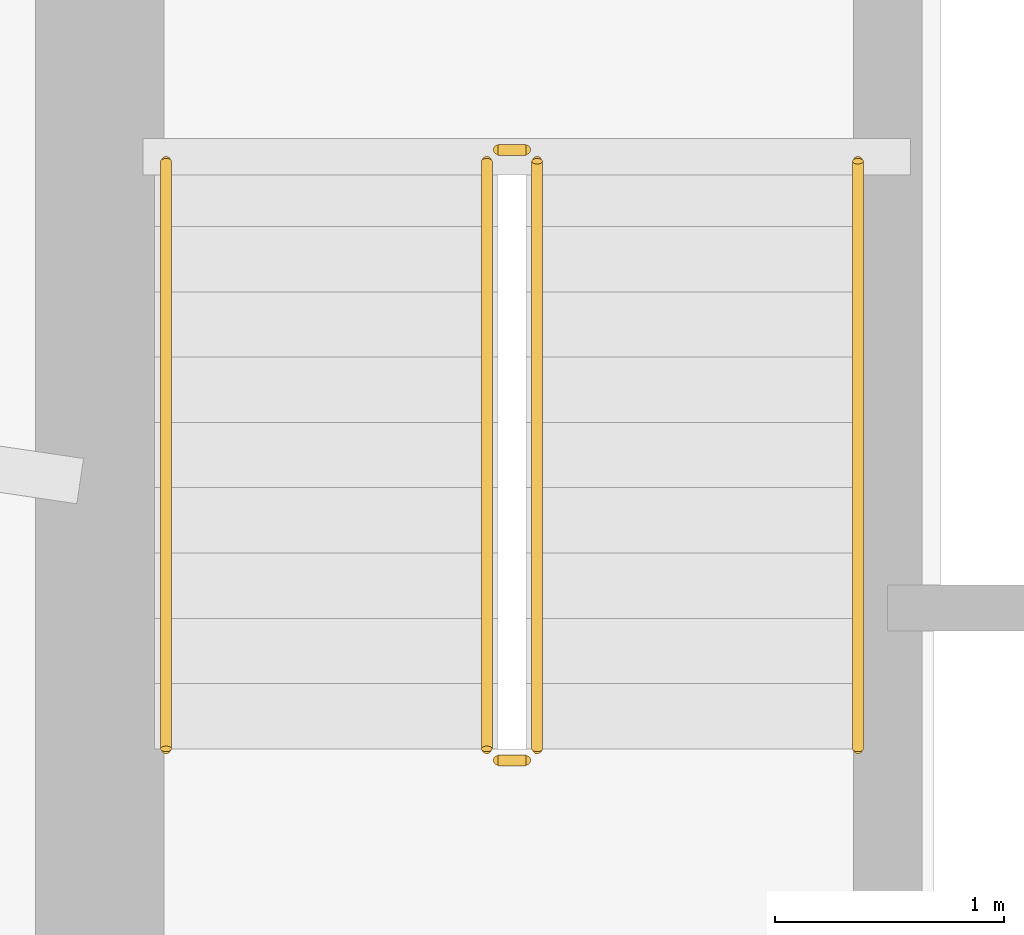
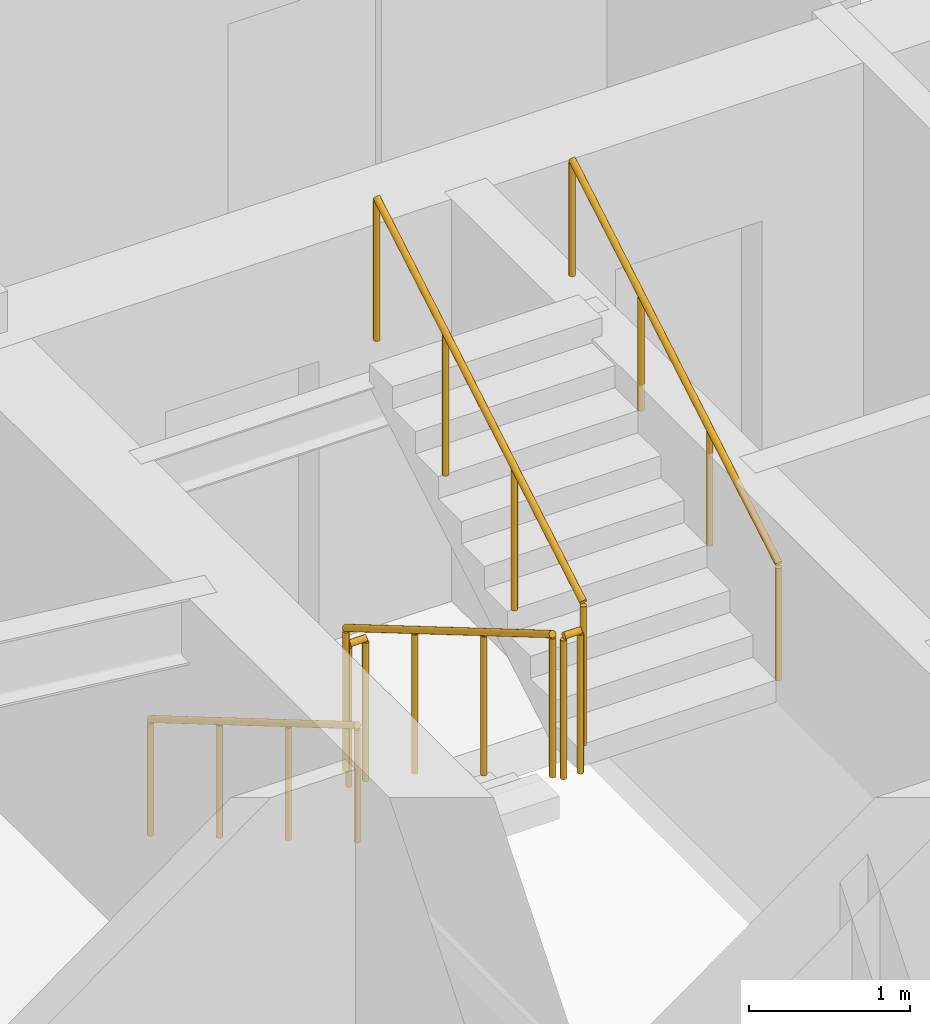
# One storey, part 16 of 17: 6 railings.
"""IFC4 building model written with IfcOpenShell, lengths in metres."""

import ifcopenshell
import ifcopenshell.guid

model = None  # the IFC model being written
_history = None  # IfcOwnerHistory: only IFC2X3 demands one
_inside = {}  # id of a spatial element -> (the spatial element, [elements in it])
_under = {}  # id of a project, library or spatial element -> (it, [spatial elements below it])
_declared = {}  # id of a project -> (the project, [libraries it declares])
_typed = {}  # id of a type object -> (the type object, [elements of that type])
_made_of = {}  # id of a material, layer set ... -> (it, [elements and type objects made of it])


def new_model(schema):
    """Start an empty IFC model of exactly this schema.

    Asked for "IFC4X3", IfcOpenShell would pick the latest addendum, in which some entities
    have other attributes; the version numbers below select the first issue.
    IFC2X3 requires an IfcOwnerHistory on every rooted entity: one is made here for all.
    """
    global model, _history
    if schema == "IFC4X3":
        model = ifcopenshell.file(schema_version=(4, 3, 0, 0))
    else:
        model = ifcopenshell.file(schema=schema)
    _inside.clear()
    _under.clear()
    _declared.clear()
    _typed.clear()
    _made_of.clear()
    _history = None
    if model.schema == "IFC2X3":
        org = make("IfcOrganization", Name="unknown")
        user = make(
            "IfcPersonAndOrganization",
            ThePerson=make("IfcPerson", FamilyName="unknown"),
            TheOrganization=org,
        )
        app = make(
            "IfcApplication",
            ApplicationDeveloper=org,
            Version="unknown",
            ApplicationFullName="unknown",
            ApplicationIdentifier="unknown",
        )
        _history = make(
            "IfcOwnerHistory",
            OwningUser=user,
            OwningApplication=app,
            ChangeAction="ADDED",
            CreationDate=0,
        )
    return model


def make(cls, **values):
    """One entity of the class cls with the attributes given. An attribute that is None is left unset."""
    return model.create_entity(
        cls, **{name: value for name, value in values.items() if value is not None}
    )


def rooted(cls, **values):
    """An entity with a GlobalId (a new one), such as an element, a storey or a relation."""
    return make(cls, GlobalId=ifcopenshell.guid.new(), OwnerHistory=_history, **values)


def si_unit(unit_type, name, prefix=None):
    """IfcSIUnit, for example si_unit("LENGTHUNIT", "METRE", prefix="MILLI")."""
    return make("IfcSIUnit", UnitType=unit_type, Prefix=prefix, Name=name)


def assignment(units):
    """IfcUnitAssignment: the units of a project."""
    return None if units is None else make("IfcUnitAssignment", Units=units)


def point(xyz):
    """IfcCartesianPoint."""
    return None if xyz is None else make("IfcCartesianPoint", Coordinates=xyz)


def direction(xyz):
    """IfcDirection."""
    return None if xyz is None else make("IfcDirection", DirectionRatios=xyz)


def frame(location, z_axis=None, x_axis=None):
    """IfcAxis2Placement3D, a coordinate frame: its origin and axes. An axis left out is left unset."""
    return make(
        "IfcAxis2Placement3D",
        Location=point(location),
        Axis=direction(z_axis),
        RefDirection=direction(x_axis),
    )


def frame_2d(location, x_axis=None):
    """IfcAxis2Placement2D, a coordinate frame in the plane: its origin and x axis."""
    return make(
        "IfcAxis2Placement2D", Location=point(location), RefDirection=direction(x_axis)
    )


def origin():
    """The frame at (0, 0, 0) with its axes left unset."""
    return frame((0.0, 0.0, 0.0))


def origin_2d():
    """The frame at (0, 0) in the plane with its x axis left unset."""
    return frame_2d((0.0, 0.0))


def place(relative_to, where):
    """IfcLocalPlacement: puts the frame where relative to a parent placement (None: the world)."""
    return make(
        "IfcLocalPlacement", PlacementRelTo=relative_to, RelativePlacement=where
    )


def context(
    kind, dimensions, precision=None, world=None, true_north=None, identifier=None
):
    """IfcGeometricRepresentationContext, for example the 3D "Model" context."""
    return make(
        "IfcGeometricRepresentationContext",
        ContextIdentifier=identifier,
        ContextType=kind,
        CoordinateSpaceDimension=dimensions,
        Precision=precision,
        WorldCoordinateSystem=world,
        TrueNorth=true_north,
    )


def subcontext(parent, identifier, kind, view, scale=None):
    """IfcGeometricRepresentationSubContext, for example "Body" below "Model"."""
    return make(
        "IfcGeometricRepresentationSubContext",
        ContextIdentifier=identifier,
        ContextType=kind,
        ParentContext=parent,
        TargetScale=scale,
        TargetView=view,
    )


def project(units=None, contexts=None):
    """IfcProject with its units and contexts."""
    return rooted(
        "IfcProject",
        Name="project",
        RepresentationContexts=contexts,
        UnitsInContext=assignment(units),
    )


def spatial(cls, under=None, at=None, **own):
    """A site, building, storey or space (cls), placed at a placement, below another one or the project."""
    s = rooted(cls, ObjectPlacement=at, **own)
    if under is not None:
        _under.setdefault(under.id(), (under, []))[1].append(s)
    return s


def profile(cls, at=None, kind="AREA", **sizes):
    """A parametric profile (cls). Its sizes go by their IFC names, for example OverallWidth=200.0."""
    return make(cls, ProfileType=kind, Position=at, **sizes)


def circle(**sizes):
    """IfcCircleProfileDef."""
    return profile("IfcCircleProfileDef", **sizes)


def extrude(swept, where, along, depth):
    """IfcExtrudedAreaSolid: the profile swept, set in the frame where, extruded along a direction by depth."""
    return make(
        "IfcExtrudedAreaSolid",
        SweptArea=swept,
        Position=where,
        ExtrudedDirection=direction(along),
        Depth=depth,
    )


def shape(context_of_items, identifier, shape_type, items):
    """IfcShapeRepresentation: the items that make up one representation, for example the "Body"."""
    return make(
        "IfcShapeRepresentation",
        ContextOfItems=context_of_items,
        RepresentationIdentifier=identifier,
        RepresentationType=shape_type,
        Items=items,
    )


def material(Name=None, Category=None):
    """IfcMaterial."""
    return make("IfcMaterial", Name=Name, Category=Category)


def made_of(thing, what):
    """Note that an element or type object is made of a material, layer set ...; save() writes the relation."""
    if what is not None:
        _made_of.setdefault(what.id(), (what, []))[1].append(thing)
    return thing


def type_object(cls, material=None, **own):
    """A type object (cls), such as IfcWallType, which elements share."""
    return made_of(rooted(cls, **own), material)


def element(
    cls,
    number,
    at=None,
    inside=None,
    cuts=None,
    type_object=None,
    material=None,
    context=None,
    identifier="Body",
    shape_type=None,
    held_by="IfcProductDefinitionShape",
    body=None,
    shapes=None,
    **own,
):
    """One element of the class cls, such as IfcWall. Its Tag is "e" and its number.

    at: its placement. inside: the storey or other place that contains it. cuts: it is an
    opening in that element (IfcRelVoidsElement). A single representation is given by context,
    identifier, shape_type and body (its items); several are given by shapes. held_by: the class
    of the entity that holds the representations. save() writes the other relations.
    """
    e = rooted(cls, Tag="e%d" % number, ObjectPlacement=at, **own)
    if body is not None:
        shapes = [shape(context, identifier, shape_type, body)]
    if shapes is not None:
        e.Representation = make(held_by, Representations=shapes)
    if inside is not None:
        _inside.setdefault(inside.id(), (inside, []))[1].append(e)
    if cuts is not None:
        rooted(
            "IfcRelVoidsElement", RelatingBuildingElement=cuts, RelatedOpeningElement=e
        )
    if type_object is not None:
        _typed.setdefault(type_object.id(), (type_object, []))[1].append(e)
    return made_of(e, material)


def aggregate(whole, parts):
    """IfcRelAggregates: a whole, such as a stair, and the parts it consists of."""
    return rooted("IfcRelAggregates", RelatingObject=whole, RelatedObjects=parts)


def save(model, path):
    """Write the relations noted so far, then the file.

    IfcRelAggregates (storeys below a building ...), IfcRelContainedInSpatialStructure (elements
    in a storey), IfcRelDefinesByType, IfcRelAssociatesMaterial and IfcRelDeclares: one each for
    every whole, place, type object, material and project.
    """
    for whole, parts in _under.values():
        aggregate(whole, parts)
    for where, things in _inside.values():
        rooted(
            "IfcRelContainedInSpatialStructure",
            RelatedElements=things,
            RelatingStructure=where,
        )
    for kind, things in _typed.values():
        rooted("IfcRelDefinesByType", RelatedObjects=things, RelatingType=kind)
    for what, things in _made_of.values():
        rooted("IfcRelAssociatesMaterial", RelatedObjects=things, RelatingMaterial=what)
    for by, libraries in _declared.values():
        rooted("IfcRelDeclares", RelatingContext=by, RelatedDefinitions=libraries)
    model.write(path)


model = new_model("IFC4")

# Units and contexts
model_context = context("Model", 3, precision=1e-05, world=origin(), true_north=direction((0.0, 1.0)))
body_context = subcontext(model_context, "Body", "Model", "MODEL_VIEW")
ifc_project = project(units=[si_unit("LENGTHUNIT", "METRE"), si_unit("AREAUNIT", "SQUARE_METRE"), si_unit("VOLUMEUNIT", "CUBIC_METRE"), si_unit("PLANEANGLEUNIT", "RADIAN"), si_unit("MASSUNIT", "GRAM", prefix="KILO")], contexts=[model_context])

# Site, building, storey
site_placement = place(None, origin())
site = spatial("IfcSite", under=ifc_project, at=site_placement, CompositionType="ELEMENT")
building_placement = place(site_placement, origin())
building = spatial("IfcBuilding", under=site, at=building_placement, Name="Qobustan Lattice House", CompositionType="ELEMENT")
storey_placement = place(building_placement, frame((0.0, 0.0, 105.800048828125)))
storey = spatial("IfcBuildingStorey", under=building, at=storey_placement, Name="L29", CompositionType="ELEMENT", Elevation=105.800048828125)

# Railings
ifc_material_1 = material(Name="Brushed stainless steel handrail", Category="steel")
railing_type_1 = type_object("IfcRailingType", Name="RAL-HR-920", PredefinedType="HANDRAIL", material=ifc_material_1)
railing_1_placement = place(storey_placement, frame((-18.199951171875, 3.5, 0.16748046875)))
element("IfcRailing", 1, at=railing_1_placement, inside=storey, type_object=railing_type_1, Name="L29 ST-W1 stair handrail 1", PredefinedType="HANDRAIL", context=body_context, shape_type="SweptSolid", body=[
    extrude(circle(Radius=0.02392578125, at=origin_2d()), frame((0.0, 0.0, 0.8759765625), z_axis=(0.0, -0.862113467892, 0.50671527358), x_axis=(1.0, 0.0, 0.0)), (0.0, 0.0, 1.0), 2.97509765625),
    extrude(circle(Radius=0.02099609375, at=origin_2d()), origin(), (0.0, 0.0, 1.0), 0.851806640625),
    extrude(circle(Radius=0.02099609375, at=origin_2d()), frame((0.0, -0.85498046875, 0.50244140625)), (0.0, 0.0, 1.0), 0.851806640625),
    extrude(circle(Radius=0.02099609375, at=origin_2d()), frame((0.0, -1.7099609375, 1.005126953125)), (0.0, 0.0, 1.0), 0.851806640625),
    extrude(circle(Radius=0.02099609375, at=origin_2d()), frame((0.0, -2.56494140625, 1.507568359375)), (0.0, 0.0, 1.0), 0.851806640625),
])
railing_2_placement = place(storey_placement, frame((-15.179931640625, 0.93505859375, 1.842529296875)))
element("IfcRailing", 2, at=railing_2_placement, inside=storey, type_object=railing_type_1, Name="L29 ST-W1 stair handrail 2", PredefinedType="HANDRAIL", context=body_context, shape_type="SweptSolid", body=[
    extrude(circle(Radius=0.02392578125, at=origin_2d()), frame((0.0, 0.0, 0.8759765625), z_axis=(0.0, 0.862149314443, 0.506654280161), x_axis=(-1.0, 0.0, 0.0)), (0.0, 0.0, 1.0), 2.97509765625),
    extrude(circle(Radius=0.02099609375, at=origin_2d()), origin(), (0.0, 0.0, 1.0), 0.851806640625),
    extrude(circle(Radius=0.02099609375, at=origin_2d()), frame((0.0, 0.85498046875, 0.50244140625)), (0.0, 0.0, 1.0), 0.851806640625),
    extrude(circle(Radius=0.02099609375, at=origin_2d()), frame((0.0, 1.7099609375, 1.0048828125)), (0.0, 0.0, 1.0), 0.851806640625),
    extrude(circle(Radius=0.02099609375, at=origin_2d()), frame((0.0, 2.56494140625, 1.50732421875)), (0.0, 0.0, 1.0), 0.851806640625),
])
ifc_material_2 = material(Name="Painted galvanized steel guardrail", Category="steel")
railing_type_2 = type_object("IfcRailingType", Name="RAL-STG-1150", PredefinedType="GUARDRAIL", material=ifc_material_2)
railing_3_placement = place(storey_placement, frame((-16.800048828125, 3.5, 0.16748046875)))
element("IfcRailing", 3, at=railing_3_placement, inside=storey, type_object=railing_type_2, Name="L29 ST-W1 stair guard 1", PredefinedType="GUARDRAIL", context=body_context, shape_type="SweptSolid", body=[
    extrude(circle(Radius=0.02392578125, at=origin_2d()), frame((0.0, 0.0, 1.076171875), z_axis=(0.0, -0.862113467892, 0.50671527358), x_axis=(1.0, 0.0, 0.0)), (0.0, 0.0, 1.0), 2.97509765625),
    extrude(circle(Radius=0.02099609375, at=origin_2d()), origin(), (0.0, 0.0, 1.0), 1.052001953125),
    extrude(circle(Radius=0.02099609375, at=origin_2d()), frame((0.0, -0.85498046875, 0.50244140625)), (0.0, 0.0, 1.0), 1.052001953125),
    extrude(circle(Radius=0.02099609375, at=origin_2d()), frame((0.0, -1.7099609375, 1.005126953125)), (0.0, 0.0, 1.0), 1.052001953125),
    extrude(circle(Radius=0.02099609375, at=origin_2d()), frame((0.0, -2.56494140625, 1.507568359375)), (0.0, 0.0, 1.0), 1.052001953125),
])
railing_4_placement = place(storey_placement, frame((-16.75, 0.885009765625, 1.675048828125)))
element("IfcRailing", 4, at=railing_4_placement, inside=storey, type_object=railing_type_2, Name="L29 ST-W1 stair guard 2", PredefinedType="GUARDRAIL", context=body_context, shape_type="SweptSolid", body=[
    extrude(circle(Radius=0.02392578125, at=origin_2d()), frame((0.0, 0.0, 1.076171875), z_axis=(1.0, 0.0, 0.0), x_axis=(0.0, 1.0, 0.0)), (0.0, 0.0, 1.0), 0.1201171875),
    extrude(circle(Radius=0.02099609375, at=origin_2d()), origin(), (0.0, 0.0, 1.0), 1.052001953125),
    extrude(circle(Radius=0.02099609375, at=origin_2d()), frame((0.1201171875, 0.0, 0.0)), (0.0, 0.0, 1.0), 1.052001953125),
])
railing_5_placement = place(storey_placement, frame((-16.580078125, 0.93505859375, 1.842529296875)))
element("IfcRailing", 5, at=railing_5_placement, inside=storey, type_object=railing_type_2, Name="L29 ST-W1 stair guard 3", PredefinedType="GUARDRAIL", context=body_context, shape_type="SweptSolid", body=[
    extrude(circle(Radius=0.02392578125, at=origin_2d()), frame((0.0, 0.0, 1.076171875), z_axis=(0.0, 0.862149314443, 0.506654280161), x_axis=(-1.0, 0.0, 0.0)), (0.0, 0.0, 1.0), 2.97509765625),
    extrude(circle(Radius=0.02099609375, at=origin_2d()), origin(), (0.0, 0.0, 1.0), 1.052001953125),
    extrude(circle(Radius=0.02099609375, at=origin_2d()), frame((0.0, 0.85498046875, 0.50244140625)), (0.0, 0.0, 1.0), 1.052001953125),
    extrude(circle(Radius=0.02099609375, at=origin_2d()), frame((0.0, 1.7099609375, 1.0048828125)), (0.0, 0.0, 1.0), 1.052001953125),
    extrude(circle(Radius=0.02099609375, at=origin_2d()), frame((0.0, 2.56494140625, 1.50732421875)), (0.0, 0.0, 1.0), 1.052001953125),
])
railing_6_placement = place(storey_placement, frame((-16.75, 3.550048828125, 0.0)))
element("IfcRailing", 6, at=railing_6_placement, inside=storey, type_object=railing_type_2, Name="L29 ST-W1 stair guard 4", PredefinedType="GUARDRAIL", context=body_context, shape_type="SweptSolid", body=[
    extrude(circle(Radius=0.02392578125, at=origin_2d()), frame((0.0, 0.0, 1.076171875), z_axis=(1.0, 0.0, 0.0), x_axis=(0.0, 1.0, 0.0)), (0.0, 0.0, 1.0), 0.1201171875),
    extrude(circle(Radius=0.02099609375, at=origin_2d()), origin(), (0.0, 0.0, 1.0), 1.052001953125),
    extrude(circle(Radius=0.02099609375, at=origin_2d()), frame((0.1201171875, 0.0, 0.0)), (0.0, 0.0, 1.0), 1.052001953125),
])

save(model, "model.ifc")
